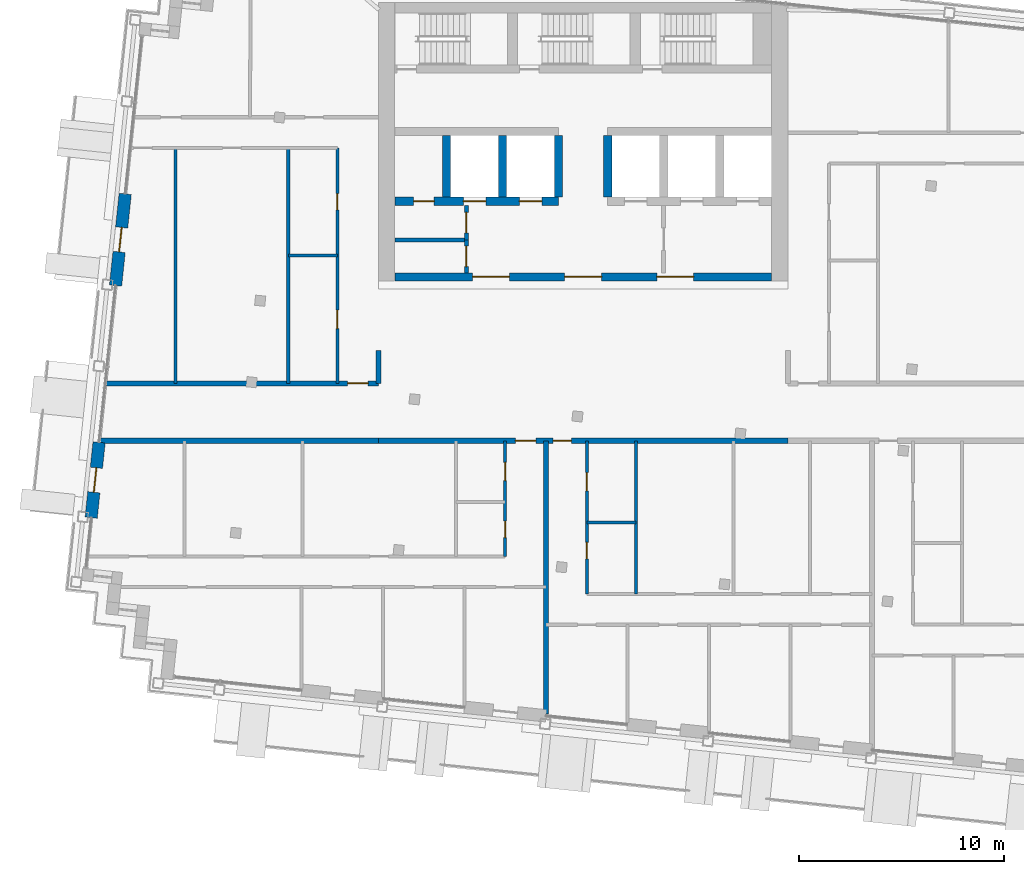
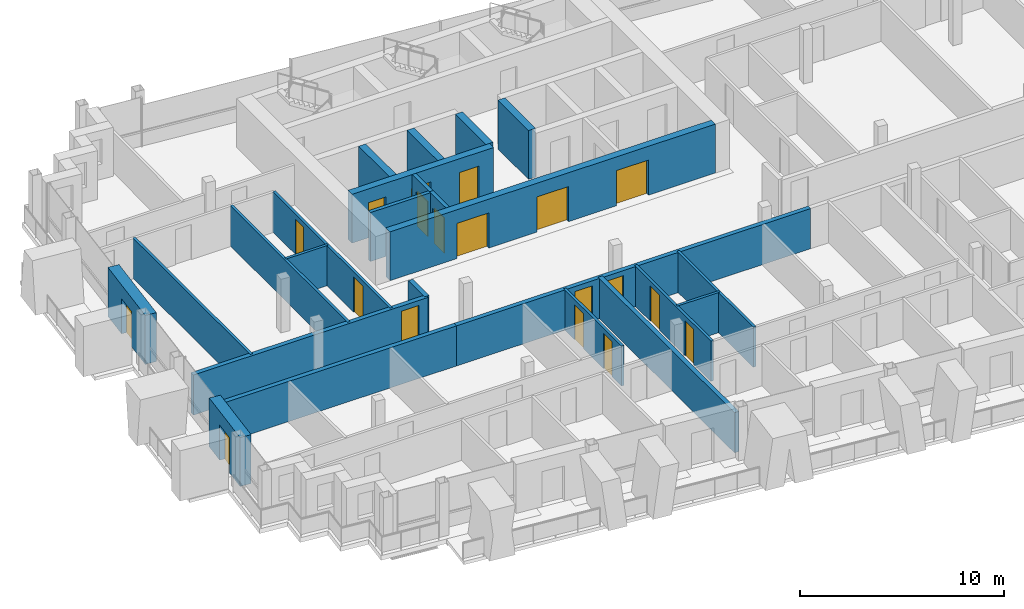
# One storey, part 9 of 17: 24 walls, 19 doors, 19 openings.
"""IFC4 building model written with IfcOpenShell, lengths in metres."""

from ifc_helpers import new_model, si_unit, direction, frame, frame_2d, origin, place, context, subcontext, project, spatial, rectangle, extrude, material, layer, layer_set, type_object, element, fill, save


model = new_model("IFC4")

# Units and contexts
model_context = context("Model", 3, precision=1e-05, world=origin(), true_north=direction((0.0, 1.0)))
body_context = subcontext(model_context, "Body", "Model", "MODEL_VIEW")
ifc_project = project(units=[si_unit("LENGTHUNIT", "METRE"), si_unit("AREAUNIT", "SQUARE_METRE"), si_unit("VOLUMEUNIT", "CUBIC_METRE"), si_unit("PLANEANGLEUNIT", "RADIAN"), si_unit("MASSUNIT", "GRAM", prefix="KILO")], contexts=[model_context])

# Site, building, storey
site_placement = place(None, origin())
site = spatial("IfcSite", under=ifc_project, at=site_placement, CompositionType="ELEMENT")
building_placement = place(site_placement, origin())
building = spatial("IfcBuilding", under=site, at=building_placement, Name="Vidyagriha Tower", CompositionType="ELEMENT")
storey_placement = place(building_placement, frame((0.0, 0.0, 262.699951171875)))
storey = spatial("IfcBuildingStorey", under=building, at=storey_placement, Name="L68", CompositionType="ELEMENT", Elevation=262.699951171875)

# Wall, opening, door
ifc_material_1 = material(Name="Precast concrete C40/50 with brick facing", Category="concrete")
ifc_layer_1 = layer(ifc_material_1, 0.60009765625)
ifc_layer_set_1 = layer_set([ifc_layer_1], Name="Precast concrete C40/50 with brick facing")
wall_type_1 = type_object("IfcWallType", Name="Brick-faced precast wall 600", PredefinedType="STANDARD", material=ifc_layer_set_1)
wall_1_placement = place(storey_placement, frame((-22.36279296875, 10.65673828125, 0.0), z_axis=(0.0, 0.0, 1.0), x_axis=(-0.104492739125, -0.994525649478, 0.0)))
wall_1 = element("IfcWall", 1, at=wall_1_placement, inside=storey, type_object=wall_type_1, Name="Brick door bay wall L68 R14.3", PredefinedType="STANDARD", context=body_context, shape_type="SweptSolid", body=[
    extrude(rectangle(XDim=4.5, YDim=0.60009765625, at=frame_2d((2.25, 0.0))), origin(), (0.0, 0.0, 1.0), 2.920166015625),
])
opening_1_placement = place(wall_1_placement, frame((1.64990234375, 0.0, 0.0)))
opening_1 = element("IfcOpeningElement", 2, at=opening_1_placement, cuts=wall_1, Name="Opening D68-58", PredefinedType="OPENING", context=body_context, shape_type="SweptSolid", body=[
    extrude(rectangle(XDim=1.199951171875, YDim=2.10009765625, at=frame_2d((0.60009765625, 1.050048828125))), frame((0.0, 0.31005859375, 0.0), z_axis=(0.0, -1.0, 0.0), x_axis=(1.0, 0.0, 0.0)), (0.0, 0.0, 1.0), 0.6201171875),
])
ifc_material_2 = material(Name="Aluminium framed glazed sliding door", Category="aluminium")
door_type_1 = type_object("IfcDoorType", Name="Balcony sliding door 1200x2100", OperationType="NOTDEFINED", PredefinedType="DOOR", material=ifc_material_2)
door_1_placement = place(opening_1_placement, origin())
door_1 = element("IfcDoor", 3, at=door_1_placement, inside=storey, type_object=door_type_1, Name="Door D68-58", OperationType="SLIDING_TO_LEFT", OverallHeight=2.10009765625, OverallWidth=1.199951171875, PredefinedType="DOOR", context=body_context, shape_type="SweptSolid", body=[
    extrude(rectangle(XDim=1.199951171875, YDim=2.10009765625, at=frame_2d((0.60009765625, 1.050048828125))), frame((0.0, 0.02490234375, 0.0), z_axis=(0.0, -1.0, 0.0), x_axis=(1.0, 0.0, 0.0)), (0.0, 0.0, 1.0), 0.050048828125),
])
fill(opening_1, door_1)

wall_2_placement = place(storey_placement, frame((-23.637939453125, -1.476318359375, 0.0), z_axis=(0.0, 0.0, 1.0), x_axis=(-0.104513052986, -0.994523514933, 0.0)))
wall_2 = element("IfcWall", 4, at=wall_2_placement, inside=storey, type_object=wall_type_1, Name="Brick door bay wall L68 R14.6", PredefinedType="STANDARD", context=body_context, shape_type="SweptSolid", body=[
    extrude(rectangle(XDim=3.7001953125, YDim=0.60009765625, at=frame_2d((1.85009765625, 0.0))), origin(), (0.0, 0.0, 1.0), 2.920166015625),
])
opening_2_placement = place(wall_2_placement, frame((1.25, 0.0, 0.0)))
opening_2 = element("IfcOpeningElement", 5, at=opening_2_placement, cuts=wall_2, Name="Opening D68-59", PredefinedType="OPENING", context=body_context, shape_type="SweptSolid", body=[
    extrude(rectangle(XDim=1.199951171875, YDim=2.10009765625, at=frame_2d((0.60009765625, 1.050048828125))), frame((0.0, 0.31005859375, 0.0), z_axis=(0.0, -1.0, 0.0), x_axis=(1.0, 0.0, 0.0)), (0.0, 0.0, 1.0), 0.6201171875),
])
door_2_placement = place(opening_2_placement, origin())
door_2 = element("IfcDoor", 6, at=door_2_placement, inside=storey, type_object=door_type_1, Name="Door D68-59", OperationType="SLIDING_TO_LEFT", OverallHeight=2.10009765625, OverallWidth=1.199951171875, PredefinedType="DOOR", context=body_context, shape_type="SweptSolid", body=[
    extrude(rectangle(XDim=1.199951171875, YDim=2.10009765625, at=frame_2d((0.60009765625, 1.050048828125))), frame((0.0, 0.02490234375, 0.0), z_axis=(0.0, -1.0, 0.0), x_axis=(1.0, 0.0, 0.0)), (0.0, 0.0, 1.0), 0.050048828125),
])
fill(opening_2, door_2)

# Wall, openings, doors
ifc_material_3 = material(Name="Concrete C60/75", Category="concrete")
ifc_layer_2 = layer(ifc_material_3, 0.39990234375)
ifc_layer_set_2 = layer_set([ifc_layer_2], Name="Concrete C60/75")
wall_type_2 = type_object("IfcWallType", Name="Core shear wall 400 mm", PredefinedType="SHEAR", material=ifc_layer_set_2)
wall_3_placement = place(storey_placement, frame((-9.199951171875, 6.60009765625, 0.0)))
wall_3 = element("IfcWall", 7, at=wall_3_placement, inside=storey, type_object=wall_type_2, Name="Core south wall", PredefinedType="SHEAR", context=body_context, shape_type="SweptSolid", body=[
    extrude(rectangle(XDim=18.39990234375, YDim=0.39990234375, at=frame_2d((9.199951171875, 0.0))), origin(), (0.0, 0.0, 1.0), 2.920166015625),
])
opening_3_placement = place(wall_3_placement, frame((8.300048828125, 0.0, 0.0)))
opening_3 = element("IfcOpeningElement", 8, at=opening_3_placement, cuts=wall_3, Name="Opening D68-01", PredefinedType="OPENING", context=body_context, shape_type="SweptSolid", body=[
    extrude(rectangle(XDim=1.800048828125, YDim=2.10009765625, at=frame_2d((0.89990234375, 1.050048828125))), frame((0.0, 0.2099609375, 0.0), z_axis=(0.0, -1.0, 0.0), x_axis=(1.0, 0.0, 0.0)), (0.0, 0.0, 1.0), 0.419921875),
])
opening_4_placement = place(wall_3_placement, frame((3.800048828125, 0.0, 0.0)))
opening_4 = element("IfcOpeningElement", 9, at=opening_4_placement, cuts=wall_3, Name="Opening D68-02", PredefinedType="OPENING", context=body_context, shape_type="SweptSolid", body=[
    extrude(rectangle(XDim=1.800048828125, YDim=2.10009765625, at=frame_2d((0.89990234375, 1.050048828125))), frame((0.0, 0.2099609375, 0.0), z_axis=(0.0, -1.0, 0.0), x_axis=(1.0, 0.0, 0.0)), (0.0, 0.0, 1.0), 0.419921875),
])
opening_5_placement = place(wall_3_placement, frame((12.800048828125, 0.0, 0.0)))
opening_5 = element("IfcOpeningElement", 10, at=opening_5_placement, cuts=wall_3, Name="Opening D68-03", PredefinedType="OPENING", context=body_context, shape_type="SweptSolid", body=[
    extrude(rectangle(XDim=1.800048828125, YDim=2.10009765625, at=frame_2d((0.89990234375, 1.050048828125))), frame((0.0, 0.2099609375, 0.0), z_axis=(0.0, -1.0, 0.0), x_axis=(1.0, 0.0, 0.0)), (0.0, 0.0, 1.0), 0.419921875),
])
ifc_material_4 = material(Name="Hollow metal door leaf")
door_type_2 = type_object("IfcDoorType", Name="Core lobby double door 1800 x 2100 mm EI 60", OperationType="NOTDEFINED", PredefinedType="DOOR", material=ifc_material_4)
door_3_placement = place(opening_3_placement, frame((1.800048828125, 0.0, 0.0), z_axis=(0.0, 0.0, 1.0), x_axis=(-1.0, 0.0, 0.0)))
door_3 = element("IfcDoor", 11, at=door_3_placement, inside=storey, type_object=door_type_2, Name="Core entrance door L68", OperationType="DOUBLE_DOOR_SINGLE_SWING", OverallHeight=2.10009765625, OverallWidth=1.800048828125, PredefinedType="DOOR", context=body_context, shape_type="SweptSolid", body=[
    extrude(rectangle(XDim=1.800048828125, YDim=2.10009765625, at=frame_2d((0.89990234375, 1.050048828125))), frame((0.0, 0.02490234375, 0.0), z_axis=(0.0, -1.0, 0.0), x_axis=(1.0, 0.0, 0.0)), (0.0, 0.0, 1.0), 0.050048828125),
])
fill(opening_3, door_3)
door_4_placement = place(opening_4_placement, frame((1.800048828125, 0.0, 0.0), z_axis=(0.0, 0.0, 1.0), x_axis=(-1.0, 0.0, 0.0)))
door_4 = element("IfcDoor", 12, at=door_4_placement, inside=storey, type_object=door_type_2, Name="Core entrance door west L68", OperationType="DOUBLE_DOOR_SINGLE_SWING", OverallHeight=2.10009765625, OverallWidth=1.800048828125, PredefinedType="DOOR", context=body_context, shape_type="SweptSolid", body=[
    extrude(rectangle(XDim=1.800048828125, YDim=2.10009765625, at=frame_2d((0.89990234375, 1.050048828125))), frame((0.0, 0.02490234375, 0.0), z_axis=(0.0, -1.0, 0.0), x_axis=(1.0, 0.0, 0.0)), (0.0, 0.0, 1.0), 0.050048828125),
])
fill(opening_4, door_4)
door_5_placement = place(opening_5_placement, frame((1.800048828125, 0.0, 0.0), z_axis=(0.0, 0.0, 1.0), x_axis=(-1.0, 0.0, 0.0)))
door_5 = element("IfcDoor", 13, at=door_5_placement, inside=storey, type_object=door_type_2, Name="Core entrance door east L68", OperationType="DOUBLE_DOOR_SINGLE_SWING", OverallHeight=2.10009765625, OverallWidth=1.800048828125, PredefinedType="DOOR", context=body_context, shape_type="SweptSolid", body=[
    extrude(rectangle(XDim=1.800048828125, YDim=2.10009765625, at=frame_2d((0.89990234375, 1.050048828125))), frame((0.0, 0.02490234375, 0.0), z_axis=(0.0, -1.0, 0.0), x_axis=(1.0, 0.0, 0.0)), (0.0, 0.0, 1.0), 0.050048828125),
])
fill(opening_5, door_5)

wall_4_placement = place(storey_placement, frame((-9.199951171875, 10.300048828125, 0.0)))
wall_4 = element("IfcWall", 14, at=wall_4_placement, inside=storey, type_object=wall_type_2, Name="Core row N front wall", PredefinedType="SHEAR", context=body_context, shape_type="SweptSolid", body=[
    extrude(rectangle(XDim=8.0, YDim=0.39990234375, at=frame_2d((4.0, 0.0))), origin(), (0.0, 0.0, 1.0), 2.920166015625),
])
opening_6_placement = place(wall_4_placement, frame((3.35009765625, 0.0, 0.0)))
opening_6 = element("IfcOpeningElement", 15, at=opening_6_placement, cuts=wall_4, Name="Opening LD68-01", PredefinedType="OPENING", context=body_context, shape_type="SweptSolid", body=[
    extrude(rectangle(XDim=1.10009765625, YDim=2.10009765625, at=frame_2d((0.550048828125, 1.050048828125))), frame((0.0, 0.2099609375, 0.0), z_axis=(0.0, -1.0, 0.0), x_axis=(1.0, 0.0, 0.0)), (0.0, 0.0, 1.0), 0.419921875),
])
opening_7_placement = place(wall_4_placement, frame((6.083251953125, 0.0, 0.0)))
opening_7 = element("IfcOpeningElement", 16, at=opening_7_placement, cuts=wall_4, Name="Opening LD68-02", PredefinedType="OPENING", context=body_context, shape_type="SweptSolid", body=[
    extrude(rectangle(XDim=1.10009765625, YDim=2.10009765625, at=frame_2d((0.550048828125, 1.050048828125))), frame((0.0, 0.2099609375, 0.0), z_axis=(0.0, -1.0, 0.0), x_axis=(1.0, 0.0, 0.0)), (0.0, 0.0, 1.0), 0.419921875),
])
opening_8_placement = place(wall_4_placement, frame((0.916748046875, 0.0, 0.0)))
opening_8 = element("IfcOpeningElement", 17, at=opening_8_placement, cuts=wall_4, Name="Opening D68-04", PredefinedType="OPENING", context=body_context, shape_type="SweptSolid", body=[
    extrude(rectangle(XDim=1.0, YDim=2.10009765625, at=frame_2d((0.5, 1.050048828125))), frame((0.0, 0.2099609375, 0.0), z_axis=(0.0, -1.0, 0.0), x_axis=(1.0, 0.0, 0.0)), (0.0, 0.0, 1.0), 0.419921875),
])
ifc_material_5 = material(Name="Hollow metal door leaf")
door_type_3 = type_object("IfcDoorType", Name="Core room door 1000 x 2100 mm EI 60", OperationType="NOTDEFINED", PredefinedType="DOOR", material=ifc_material_5)
door_6_placement = place(opening_8_placement, frame((1.0, 0.0, 0.0), z_axis=(0.0, 0.0, 1.0), x_axis=(-1.0, 0.0, 0.0)))
door_6 = element("IfcDoor", 18, at=door_6_placement, inside=storey, type_object=door_type_3, Name="Door Riser Room 68.14", OperationType="SINGLE_SWING_RIGHT", OverallHeight=2.10009765625, OverallWidth=1.0, PredefinedType="DOOR", context=body_context, shape_type="SweptSolid", body=[
    extrude(rectangle(XDim=1.0, YDim=2.10009765625, at=frame_2d((0.5, 1.050048828125))), frame((0.0, 0.02490234375, 0.0), z_axis=(0.0, -1.0, 0.0), x_axis=(1.0, 0.0, 0.0)), (0.0, 0.0, 1.0), 0.050048828125),
])
fill(opening_8, door_6)
ifc_material_6 = material(Name="Stainless steel sliding door panel", Category="steel")
door_type_4 = type_object("IfcDoorType", Name="Lift landing door 1100 x 2100 mm EI 90", OperationType="NOTDEFINED", PredefinedType="DOOR", material=ifc_material_6)
door_7_placement = place(opening_6_placement, origin())
door_7 = element("IfcDoor", 19, at=door_7_placement, inside=storey, type_object=door_type_4, Name="Landing door HR1 L68", OperationType="SLIDING_TO_LEFT", OverallHeight=2.10009765625, OverallWidth=1.10009765625, PredefinedType="DOOR", context=body_context, shape_type="SweptSolid", body=[
    extrude(rectangle(XDim=1.10009765625, YDim=2.10009765625, at=frame_2d((0.550048828125, 1.050048828125))), frame((0.0, 0.02490234375, 0.0), z_axis=(0.0, -1.0, 0.0), x_axis=(1.0, 0.0, 0.0)), (0.0, 0.0, 1.0), 0.050048828125),
])
fill(opening_6, door_7)
door_8_placement = place(opening_7_placement, origin())
door_8 = element("IfcDoor", 20, at=door_8_placement, inside=storey, type_object=door_type_4, Name="Landing door HR2 L68", OperationType="SLIDING_TO_LEFT", OverallHeight=2.10009765625, OverallWidth=1.10009765625, PredefinedType="DOOR", context=body_context, shape_type="SweptSolid", body=[
    extrude(rectangle(XDim=1.10009765625, YDim=2.10009765625, at=frame_2d((0.550048828125, 1.050048828125))), frame((0.0, 0.02490234375, 0.0), z_axis=(0.0, -1.0, 0.0), x_axis=(1.0, 0.0, 0.0)), (0.0, 0.0, 1.0), 0.050048828125),
])
fill(opening_7, door_8)

# Walls
for number, where, z_axis, x_axis, name in (
    (21, (-6.666748046875, 10.5, 0.0), (0.0, 0.0, 1.0), (0.0, 1.0, 0.0), "Core bay wall N1"),
    (22, (-3.933349609375, 10.5, 0.0), (0.0, 0.0, 1.0), (0.0, 1.0, 0.0), "Core bay wall N2"),
    (23, (-1.199951171875, 10.5, 0.0), (0.0, 0.0, 1.0), (0.0, 1.0, 0.0), "Core bay wall N3"),
    (24, (1.199951171875, 10.5, 0.0), (0.0, 0.0, 1.0), (0.0, 1.0, 0.0), "Core bay wall N4"),
):
    element("IfcWall", number, at=place(storey_placement, frame(where, z_axis=z_axis, x_axis=x_axis)), inside=storey, type_object=wall_type_2, Name=name, PredefinedType="SHEAR", context=body_context, shape_type="SweptSolid", body=[
        extrude(rectangle(XDim=3.0, YDim=0.39990234375, at=frame_2d((1.5, 0.0))), origin(), (0.0, 0.0, 1.0), 2.920166015625),
    ])
ifc_material_7 = material(Name="Fired clay brick masonry", Category="masonry")
ifc_layer_3 = layer(ifc_material_7, 0.25)
ifc_layer_set_3 = layer_set([ifc_layer_3], Name="Fired clay brick masonry")
wall_type_3 = type_object("IfcWallType", Name="Fired clay brick corridor wall 250", PredefinedType="PARTITIONING", material=ifc_layer_set_3)
wall_5_placement = place(storey_placement, frame((-10.0, -1.39990234375, 0.0), z_axis=(0.0, 0.0, 1.0), x_axis=(-1.0, 0.0, 0.0)))
element("IfcWall", 25, at=wall_5_placement, inside=storey, type_object=wall_type_3, Name="Wall all-L68-w064", PredefinedType="PARTITIONING", context=body_context, shape_type="SweptSolid", body=[
    extrude(rectangle(XDim=13.5595703125, YDim=0.25, at=frame_2d((6.77978515625, 0.0))), origin(), (0.0, 0.0, 1.0), 2.400146484375),
])

# Wall, opening, door
wall_6_placement = place(storey_placement, frame((-23.26513671875, 1.39990234375, 0.0)))
wall_6 = element("IfcWall", 26, at=wall_6_placement, inside=storey, type_object=wall_type_3, Name="Wall all-L68-w081", PredefinedType="PARTITIONING", context=body_context, shape_type="SweptSolid", body=[
    extrude(rectangle(XDim=13.26513671875, YDim=0.25, at=frame_2d((6.632568359375, 0.0))), origin(), (0.0, 0.0, 1.0), 2.400146484375),
])
opening_9_placement = place(wall_6_placement, frame((11.76513671875, 0.0, 0.0)))
opening_9 = element("IfcOpeningElement", 27, at=opening_9_placement, cuts=wall_6, Name="Opening D68-47", PredefinedType="OPENING", context=body_context, shape_type="SweptSolid", body=[
    extrude(rectangle(XDim=1.0, YDim=2.10009765625, at=frame_2d((0.5, 1.050048828125))), frame((0.0, 0.135009765625, 0.0), z_axis=(0.0, -1.0, 0.0), x_axis=(1.0, 0.0, 0.0)), (0.0, 0.0, 1.0), 0.27001953125),
])
ifc_material_8 = material(Name="Fire-rated timber door leaf EI 60", Category="wood")
door_type_5 = type_object("IfcDoorType", Name="Flat entrance fire door 1000x2100", OperationType="NOTDEFINED", PredefinedType="DOOR", material=ifc_material_8)
door_9_placement = place(opening_9_placement, origin())
door_9 = element("IfcDoor", 28, at=door_9_placement, inside=storey, type_object=door_type_5, Name="Door D68-47", OperationType="SINGLE_SWING_RIGHT", OverallHeight=2.10009765625, OverallWidth=1.0, PredefinedType="DOOR", context=body_context, shape_type="SweptSolid", body=[
    extrude(rectangle(XDim=1.0, YDim=2.10009765625, at=frame_2d((0.5, 1.050048828125))), frame((0.0, 0.02490234375, 0.0), z_axis=(0.0, -1.0, 0.0), x_axis=(1.0, 0.0, 0.0)), (0.0, 0.0, 1.0), 0.050048828125),
])
fill(opening_9, door_9)

# Wall, openings, doors
wall_7_placement = place(storey_placement, frame((10.0, -1.39990234375, 0.0), z_axis=(0.0, 0.0, 1.0), x_axis=(-1.0, 0.0, 0.0)))
wall_7 = element("IfcWall", 29, at=wall_7_placement, inside=storey, type_object=wall_type_3, Name="Wall all-L68-w104", PredefinedType="PARTITIONING", context=body_context, shape_type="SweptSolid", body=[
    extrude(rectangle(XDim=20.0, YDim=0.25, at=frame_2d((10.0, 0.0))), origin(), (0.0, 0.0, 1.0), 2.400146484375),
])
opening_10_placement = place(wall_7_placement, frame((12.31396484375, 0.0, 0.0)))
opening_10 = element("IfcOpeningElement", 30, at=opening_10_placement, cuts=wall_7, Name="Opening D68-20", PredefinedType="OPENING", context=body_context, shape_type="SweptSolid", body=[
    extrude(rectangle(XDim=1.0, YDim=2.10009765625, at=frame_2d((0.5, 1.050048828125))), frame((0.0, 0.135009765625, 0.0), z_axis=(0.0, -1.0, 0.0), x_axis=(1.0, 0.0, 0.0)), (0.0, 0.0, 1.0), 0.27001953125),
])
opening_11_placement = place(wall_7_placement, frame((10.5703125, 0.0, 0.0)))
opening_11 = element("IfcOpeningElement", 31, at=opening_11_placement, cuts=wall_7, Name="Opening D68-30", PredefinedType="OPENING", context=body_context, shape_type="SweptSolid", body=[
    extrude(rectangle(XDim=0.89990234375, YDim=2.10009765625, at=frame_2d((0.449951171875, 1.050048828125))), frame((0.0, 0.135009765625, 0.0), z_axis=(0.0, -1.0, 0.0), x_axis=(1.0, 0.0, 0.0)), (0.0, 0.0, 1.0), 0.27001953125),
])
door_10_placement = place(opening_10_placement, origin())
door_10 = element("IfcDoor", 32, at=door_10_placement, inside=storey, type_object=door_type_5, Name="Door D68-20", OperationType="SINGLE_SWING_LEFT", OverallHeight=2.10009765625, OverallWidth=1.0, PredefinedType="DOOR", context=body_context, shape_type="SweptSolid", body=[
    extrude(rectangle(XDim=1.0, YDim=2.10009765625, at=frame_2d((0.5, 1.050048828125))), frame((0.0, 0.02490234375, 0.0), z_axis=(0.0, -1.0, 0.0), x_axis=(1.0, 0.0, 0.0)), (0.0, 0.0, 1.0), 0.050048828125),
])
fill(opening_10, door_10)
ifc_material_9 = material(Name="Fire-rated timber door leaf EI 60", Category="wood")
door_type_6 = type_object("IfcDoorType", Name="Flat entrance fire door 900x2100", OperationType="NOTDEFINED", PredefinedType="DOOR", material=ifc_material_9)
door_11_placement = place(opening_11_placement, origin())
door_11 = element("IfcDoor", 33, at=door_11_placement, inside=storey, type_object=door_type_6, Name="Door D68-30", OperationType="SINGLE_SWING_RIGHT", OverallHeight=2.10009765625, OverallWidth=0.89990234375, PredefinedType="DOOR", context=body_context, shape_type="SweptSolid", body=[
    extrude(rectangle(XDim=0.89990234375, YDim=2.10009765625, at=frame_2d((0.449951171875, 1.050048828125))), frame((0.0, 0.02490234375, 0.0), z_axis=(0.0, -1.0, 0.0), x_axis=(1.0, 0.0, 0.0)), (0.0, 0.0, 1.0), 0.050048828125),
])
fill(opening_11, door_11)

# Walls
wall_8_placement = place(storey_placement, frame((-10.0, 3.0, 0.0), z_axis=(0.0, 0.0, 1.0), x_axis=(0.0, -1.0, 0.0)))
element("IfcWall", 34, at=wall_8_placement, inside=storey, type_object=wall_type_3, Name="Wall all-L68-w105", PredefinedType="PARTITIONING", context=body_context, shape_type="SweptSolid", body=[
    extrude(rectangle(XDim=1.60009765625, YDim=0.25, at=frame_2d((0.800048828125, 0.0))), origin(), (0.0, 0.0, 1.0), 2.400146484375),
])
ifc_material_10 = material(Name="Fired clay brick masonry", Category="masonry")
ifc_layer_4 = layer(ifc_material_10, 0.25)
ifc_layer_set_4 = layer_set([ifc_layer_4], Name="Fired clay brick masonry")
wall_type_4 = type_object("IfcWallType", Name="Fired clay brick demising wall 250", PredefinedType="PARTITIONING", material=ifc_layer_set_4)
wall_9_placement = place(storey_placement, frame((-1.81396484375, -1.39990234375, 0.0), z_axis=(0.0, 0.0, 1.0), x_axis=(0.0, -1.0, 0.0)))
element("IfcWall", 35, at=wall_9_placement, inside=storey, type_object=wall_type_4, Name="Wall all-L68-w041", PredefinedType="PARTITIONING", context=body_context, shape_type="SweptSolid", body=[
    extrude(rectangle(XDim=13.340576171875, YDim=0.25, at=frame_2d((6.67041015625, 0.0))), origin(), (0.0, 0.0, 1.0), 2.400146484375),
])
ifc_material_11 = material(Name="Gypsum board partition")
ifc_layer_5 = layer(ifc_material_11, 0.14990234375)
ifc_layer_set_5 = layer_set([ifc_layer_5], Name="Gypsum board partition")
wall_type_5 = type_object("IfcWallType", Name="Gypsum board partition 150", PredefinedType="PARTITIONING", material=ifc_layer_set_5)
wall_10_placement = place(storey_placement, frame((2.5859375, -5.39990234375, 0.0), z_axis=(0.0, 0.0, 1.0), x_axis=(-1.0, 0.0, 0.0)))
element("IfcWall", 36, at=wall_10_placement, inside=storey, type_object=wall_type_5, Name="Wall all-L68-w024", PredefinedType="PARTITIONING", context=body_context, shape_type="SweptSolid", body=[
    extrude(rectangle(XDim=2.39990234375, YDim=0.14990234375, at=frame_2d((1.199951171875, 0.0))), origin(), (0.0, 0.0, 1.0), 2.400146484375),
])
wall_11_placement = place(storey_placement, frame((2.5859375, -1.39990234375, 0.0), z_axis=(0.0, 0.0, 1.0), x_axis=(0.0, -1.0, 0.0)))
element("IfcWall", 37, at=wall_11_placement, inside=storey, type_object=wall_type_5, Name="Wall all-L68-w025", PredefinedType="PARTITIONING", context=body_context, shape_type="SweptSolid", body=[
    extrude(rectangle(XDim=7.483642578125, YDim=0.14990234375, at=frame_2d((3.74169921875, 0.0))), origin(), (0.0, 0.0, 1.0), 2.400146484375),
])
wall_12_placement = place(storey_placement, frame((-14.39990234375, 7.64990234375, 0.0)))
element("IfcWall", 38, at=wall_12_placement, inside=storey, type_object=wall_type_5, Name="Wall all-L68-w070", PredefinedType="PARTITIONING", context=body_context, shape_type="SweptSolid", body=[
    extrude(rectangle(XDim=2.39990234375, YDim=0.14990234375, at=frame_2d((1.199951171875, 0.0))), origin(), (0.0, 0.0, 1.0), 2.400146484375),
])
for number, where, z_axis, x_axis, name in (
    (39, (-14.39990234375, 1.39990234375, 0.0), (0.0, 0.0, 1.0), (0.0, 1.0, 0.0), "Wall all-L68-w071"),
    (40, (-19.89990234375, 1.39990234375, 0.0), (0.0, 0.0, 1.0), (0.0, 1.0, 0.0), "Wall all-L68-w072"),
):
    element("IfcWall", number, at=place(storey_placement, frame(where, z_axis=z_axis, x_axis=x_axis)), inside=storey, type_object=wall_type_5, Name=name, PredefinedType="PARTITIONING", context=body_context, shape_type="SweptSolid", body=[
        extrude(rectangle(XDim=11.5, YDim=0.14990234375, at=frame_2d((5.75, 0.0))), origin(), (0.0, 0.0, 1.0), 2.400146484375),
    ])

# Wall, openings, doors
ifc_material_12 = material(Name="Moisture resistant gypsum board partition")
ifc_layer_6 = layer(ifc_material_12, 0.14990234375)
ifc_layer_set_6 = layer_set([ifc_layer_6], Name="Moisture resistant gypsum board partition")
wall_type_6 = type_object("IfcWallType", Name="Gypsum board wet-area partition 150", PredefinedType="PARTITIONING", material=ifc_layer_set_6)
wall_13_placement = place(storey_placement, frame((-3.81396484375, -7.046630859375, 0.0), z_axis=(0.0, 0.0, 1.0), x_axis=(0.0, 1.0, 0.0)))
wall_13 = element("IfcWall", 41, at=wall_13_placement, inside=storey, type_object=wall_type_6, Name="Wall all-L68-w001", PredefinedType="PARTITIONING", context=body_context, shape_type="SweptSolid", body=[
    extrude(rectangle(XDim=5.646728515625, YDim=0.14990234375, at=frame_2d((2.8232421875, 0.0))), origin(), (0.0, 0.0, 1.0), 2.400146484375),
])
opening_12_placement = place(wall_13_placement, frame((3.696533203125, 0.0, 0.0)))
opening_12 = element("IfcOpeningElement", 42, at=opening_12_placement, cuts=wall_13, Name="Opening D68-11", PredefinedType="OPENING", context=body_context, shape_type="SweptSolid", body=[
    extrude(rectangle(XDim=0.89990234375, YDim=2.10009765625, at=frame_2d((0.449951171875, 1.050048828125))), frame((0.0, 0.0849609375, 0.0), z_axis=(0.0, -1.0, 0.0), x_axis=(1.0, 0.0, 0.0)), (0.0, 0.0, 1.0), 0.169921875),
])
opening_13_placement = place(wall_13_placement, frame((0.92333984375, 0.0, 0.0)))
opening_13 = element("IfcOpeningElement", 43, at=opening_13_placement, cuts=wall_13, Name="Opening D68-12", PredefinedType="OPENING", context=body_context, shape_type="SweptSolid", body=[
    extrude(rectangle(XDim=0.800048828125, YDim=2.10009765625, at=frame_2d((0.39990234375, 1.050048828125))), frame((0.0, 0.0849609375, 0.0), z_axis=(0.0, -1.0, 0.0), x_axis=(1.0, 0.0, 0.0)), (0.0, 0.0, 1.0), 0.169921875),
])
ifc_material_13 = material(Name="Timber door leaf", Category="wood")
door_type_7 = type_object("IfcDoorType", Name="Bathroom door 800x2100", OperationType="NOTDEFINED", PredefinedType="DOOR", material=ifc_material_13)
door_12_placement = place(opening_13_placement, origin())
door_12 = element("IfcDoor", 44, at=door_12_placement, inside=storey, type_object=door_type_7, Name="Door D68-12", OperationType="SINGLE_SWING_RIGHT", OverallHeight=2.10009765625, OverallWidth=0.800048828125, PredefinedType="DOOR", context=body_context, shape_type="SweptSolid", body=[
    extrude(rectangle(XDim=0.800048828125, YDim=2.10009765625, at=frame_2d((0.39990234375, 1.050048828125))), frame((0.0, 0.02490234375, 0.0), z_axis=(0.0, -1.0, 0.0), x_axis=(1.0, 0.0, 0.0)), (0.0, 0.0, 1.0), 0.050048828125),
])
fill(opening_13, door_12)
ifc_material_14 = material(Name="Timber door leaf", Category="wood")
door_type_8 = type_object("IfcDoorType", Name="Kitchen door 900x2100", OperationType="NOTDEFINED", PredefinedType="DOOR", material=ifc_material_14)
door_13_placement = place(opening_12_placement, origin())
door_13 = element("IfcDoor", 45, at=door_13_placement, inside=storey, type_object=door_type_8, Name="Door D68-11", OperationType="SINGLE_SWING_LEFT", OverallHeight=2.10009765625, OverallWidth=0.89990234375, PredefinedType="DOOR", context=body_context, shape_type="SweptSolid", body=[
    extrude(rectangle(XDim=0.89990234375, YDim=2.10009765625, at=frame_2d((0.449951171875, 1.050048828125))), frame((0.0, 0.02490234375, 0.0), z_axis=(0.0, -1.0, 0.0), x_axis=(1.0, 0.0, 0.0)), (0.0, 0.0, 1.0), 0.050048828125),
])
fill(opening_12, door_13)

wall_14_placement = place(storey_placement, frame((0.18603515625, -1.39990234375, 0.0), z_axis=(0.0, 0.0, 1.0), x_axis=(0.0, -1.0, 0.0)))
wall_14 = element("IfcWall", 46, at=wall_14_placement, inside=storey, type_object=wall_type_6, Name="Wall all-L68-w021", PredefinedType="PARTITIONING", context=body_context, shape_type="SweptSolid", body=[
    extrude(rectangle(XDim=7.483642578125, YDim=0.14990234375, at=frame_2d((3.74169921875, 0.0))), origin(), (0.0, 0.0, 1.0), 2.400146484375),
])
opening_14_placement = place(wall_14_placement, frame((1.550048828125, 0.0, 0.0)))
opening_14 = element("IfcOpeningElement", 47, at=opening_14_placement, cuts=wall_14, Name="Opening D68-21", PredefinedType="OPENING", context=body_context, shape_type="SweptSolid", body=[
    extrude(rectangle(XDim=0.89990234375, YDim=2.10009765625, at=frame_2d((0.449951171875, 1.050048828125))), frame((0.0, 0.0849609375, 0.0), z_axis=(0.0, -1.0, 0.0), x_axis=(1.0, 0.0, 0.0)), (0.0, 0.0, 1.0), 0.169921875),
])
opening_15_placement = place(wall_14_placement, frame((4.9658203125, 0.0, 0.0)))
opening_15 = element("IfcOpeningElement", 48, at=opening_15_placement, cuts=wall_14, Name="Opening D68-22", PredefinedType="OPENING", context=body_context, shape_type="SweptSolid", body=[
    extrude(rectangle(XDim=0.800048828125, YDim=2.10009765625, at=frame_2d((0.39990234375, 1.050048828125))), frame((0.0, 0.0849609375, 0.0), z_axis=(0.0, -1.0, 0.0), x_axis=(1.0, 0.0, 0.0)), (0.0, 0.0, 1.0), 0.169921875),
])
door_14_placement = place(opening_15_placement, origin())
door_14 = element("IfcDoor", 49, at=door_14_placement, inside=storey, type_object=door_type_7, Name="Door D68-22", OperationType="SINGLE_SWING_LEFT", OverallHeight=2.10009765625, OverallWidth=0.800048828125, PredefinedType="DOOR", context=body_context, shape_type="SweptSolid", body=[
    extrude(rectangle(XDim=0.800048828125, YDim=2.10009765625, at=frame_2d((0.39990234375, 1.050048828125))), frame((0.0, 0.02490234375, 0.0), z_axis=(0.0, -1.0, 0.0), x_axis=(1.0, 0.0, 0.0)), (0.0, 0.0, 1.0), 0.050048828125),
])
fill(opening_15, door_14)
door_15_placement = place(opening_14_placement, origin())
door_15 = element("IfcDoor", 50, at=door_15_placement, inside=storey, type_object=door_type_8, Name="Door D68-21", OperationType="SINGLE_SWING_LEFT", OverallHeight=2.10009765625, OverallWidth=0.89990234375, PredefinedType="DOOR", context=body_context, shape_type="SweptSolid", body=[
    extrude(rectangle(XDim=0.89990234375, YDim=2.10009765625, at=frame_2d((0.449951171875, 1.050048828125))), frame((0.0, 0.02490234375, 0.0), z_axis=(0.0, -1.0, 0.0), x_axis=(1.0, 0.0, 0.0)), (0.0, 0.0, 1.0), 0.050048828125),
])
fill(opening_14, door_15)

wall_15_placement = place(storey_placement, frame((-12.0, 1.39990234375, 0.0), z_axis=(0.0, 0.0, 1.0), x_axis=(0.0, 1.0, 0.0)))
wall_15 = element("IfcWall", 51, at=wall_15_placement, inside=storey, type_object=wall_type_6, Name="Wall all-L68-w067", PredefinedType="PARTITIONING", context=body_context, shape_type="SweptSolid", body=[
    extrude(rectangle(XDim=11.5, YDim=0.14990234375, at=frame_2d((5.75, 0.0))), origin(), (0.0, 0.0, 1.0), 2.400146484375),
])
opening_16_placement = place(wall_15_placement, frame((2.675048828125, 0.0, 0.0)))
opening_16 = element("IfcOpeningElement", 52, at=opening_16_placement, cuts=wall_15, Name="Opening D68-41", PredefinedType="OPENING", context=body_context, shape_type="SweptSolid", body=[
    extrude(rectangle(XDim=0.89990234375, YDim=2.10009765625, at=frame_2d((0.449951171875, 1.050048828125))), frame((0.0, 0.0849609375, 0.0), z_axis=(0.0, -1.0, 0.0), x_axis=(1.0, 0.0, 0.0)), (0.0, 0.0, 1.0), 0.169921875),
])
opening_17_placement = place(wall_15_placement, frame((8.47509765625, 0.0, 0.0)))
opening_17 = element("IfcOpeningElement", 53, at=opening_17_placement, cuts=wall_15, Name="Opening D68-42", PredefinedType="OPENING", context=body_context, shape_type="SweptSolid", body=[
    extrude(rectangle(XDim=0.800048828125, YDim=2.10009765625, at=frame_2d((0.39990234375, 1.050048828125))), frame((0.0, 0.0849609375, 0.0), z_axis=(0.0, -1.0, 0.0), x_axis=(1.0, 0.0, 0.0)), (0.0, 0.0, 1.0), 0.169921875),
])
door_16_placement = place(opening_17_placement, origin())
door_16 = element("IfcDoor", 54, at=door_16_placement, inside=storey, type_object=door_type_7, Name="Door D68-42", OperationType="SINGLE_SWING_RIGHT", OverallHeight=2.10009765625, OverallWidth=0.800048828125, PredefinedType="DOOR", context=body_context, shape_type="SweptSolid", body=[
    extrude(rectangle(XDim=0.800048828125, YDim=2.10009765625, at=frame_2d((0.39990234375, 1.050048828125))), frame((0.0, 0.02490234375, 0.0), z_axis=(0.0, -1.0, 0.0), x_axis=(1.0, 0.0, 0.0)), (0.0, 0.0, 1.0), 0.050048828125),
])
fill(opening_17, door_16)
door_17_placement = place(opening_16_placement, origin())
door_17 = element("IfcDoor", 55, at=door_17_placement, inside=storey, type_object=door_type_8, Name="Door D68-41", OperationType="SINGLE_SWING_RIGHT", OverallHeight=2.10009765625, OverallWidth=0.89990234375, PredefinedType="DOOR", context=body_context, shape_type="SweptSolid", body=[
    extrude(rectangle(XDim=0.89990234375, YDim=2.10009765625, at=frame_2d((0.449951171875, 1.050048828125))), frame((0.0, 0.02490234375, 0.0), z_axis=(0.0, -1.0, 0.0), x_axis=(1.0, 0.0, 0.0)), (0.0, 0.0, 1.0), 0.050048828125),
])
fill(opening_16, door_17)

# Wall, opening, door
ifc_material_15 = material(Name="Blockwork 15 MPa", Category="masonry")
ifc_layer_7 = layer(ifc_material_15, 0.199951171875)
ifc_layer_set_7 = layer_set([ifc_layer_7], Name="Blockwork 15 MPa")
wall_type_7 = type_object("IfcWallType", Name="Service room partition 200 mm", PredefinedType="PARTITIONING", material=ifc_layer_set_7)
wall_16_placement = place(storey_placement, frame((-5.699951171875, 6.800048828125, 0.0), z_axis=(0.0, 0.0, 1.0), x_axis=(0.0, 1.0, 0.0)))
wall_16 = element("IfcWall", 56, at=wall_16_placement, inside=storey, type_object=wall_type_7, Name="Core room partition W", PredefinedType="PARTITIONING", context=body_context, shape_type="SweptSolid", body=[
    extrude(rectangle(XDim=1.599853515625, YDim=0.199951171875, at=frame_2d((0.7998046875, 0.0))), origin(), (0.0, 0.0, 1.0), 2.920166015625),
])
opening_18_placement = place(wall_16_placement, frame((0.300048828125, 0.0, 0.0)))
opening_18 = element("IfcOpeningElement", 57, at=opening_18_placement, cuts=wall_16, Name="Opening D68-09", PredefinedType="OPENING", context=body_context, shape_type="SweptSolid", body=[
    extrude(rectangle(XDim=1.0, YDim=2.10009765625, at=frame_2d((0.5, 1.050048828125))), frame((0.0, 0.10986328125, 0.0), z_axis=(0.0, -1.0, 0.0), x_axis=(1.0, 0.0, 0.0)), (0.0, 0.0, 1.0), 0.219970703125),
])
door_18_placement = place(opening_18_placement, origin())
door_18 = element("IfcDoor", 58, at=door_18_placement, inside=storey, type_object=door_type_3, Name="Door Communications Room 68.T1", OperationType="SINGLE_SWING_LEFT", OverallHeight=2.10009765625, OverallWidth=1.0, PredefinedType="DOOR", context=body_context, shape_type="SweptSolid", body=[
    extrude(rectangle(XDim=1.0, YDim=2.10009765625, at=frame_2d((0.5, 1.050048828125))), frame((0.0, 0.02490234375, 0.0), z_axis=(0.0, -1.0, 0.0), x_axis=(1.0, 0.0, 0.0)), (0.0, 0.0, 1.0), 0.050048828125),
])
fill(opening_18, door_18)

wall_17_placement = place(storey_placement, frame((-5.699951171875, 8.39990234375, 0.0), z_axis=(0.0, 0.0, 1.0), x_axis=(0.0, 1.0, 0.0)))
wall_17 = element("IfcWall", 59, at=wall_17_placement, inside=storey, type_object=wall_type_7, Name="Core room partition W2", PredefinedType="PARTITIONING", context=body_context, shape_type="SweptSolid", body=[
    extrude(rectangle(XDim=1.7001953125, YDim=0.199951171875, at=frame_2d((0.85009765625, 0.0))), origin(), (0.0, 0.0, 1.0), 2.920166015625),
])
opening_19_placement = place(wall_17_placement, frame((0.35009765625, 0.0, 0.0)))
opening_19 = element("IfcOpeningElement", 60, at=opening_19_placement, cuts=wall_17, Name="Opening D68-10", PredefinedType="OPENING", context=body_context, shape_type="SweptSolid", body=[
    extrude(rectangle(XDim=1.0, YDim=2.10009765625, at=frame_2d((0.5, 1.050048828125))), frame((0.0, 0.10986328125, 0.0), z_axis=(0.0, -1.0, 0.0), x_axis=(1.0, 0.0, 0.0)), (0.0, 0.0, 1.0), 0.219970703125),
])
door_19_placement = place(opening_19_placement, origin())
door_19 = element("IfcDoor", 61, at=door_19_placement, inside=storey, type_object=door_type_3, Name="Door Cleaners Store 68.T2", OperationType="SINGLE_SWING_RIGHT", OverallHeight=2.10009765625, OverallWidth=1.0, PredefinedType="DOOR", context=body_context, shape_type="SweptSolid", body=[
    extrude(rectangle(XDim=1.0, YDim=2.10009765625, at=frame_2d((0.5, 1.050048828125))), frame((0.0, 0.02490234375, 0.0), z_axis=(0.0, -1.0, 0.0), x_axis=(1.0, 0.0, 0.0)), (0.0, 0.0, 1.0), 0.050048828125),
])
fill(opening_19, door_19)

# Wall
wall_18_placement = place(storey_placement, frame((-9.199951171875, 8.39990234375, 0.0)))
element("IfcWall", 62, at=wall_18_placement, inside=storey, type_object=wall_type_7, Name="Core room partition W", PredefinedType="PARTITIONING", context=body_context, shape_type="SweptSolid", body=[
    extrude(rectangle(XDim=3.39990234375, YDim=0.199951171875, at=frame_2d((1.699951171875, 0.0))), origin(), (0.0, 0.0, 1.0), 2.920166015625),
])

save(model, "model.ifc")
